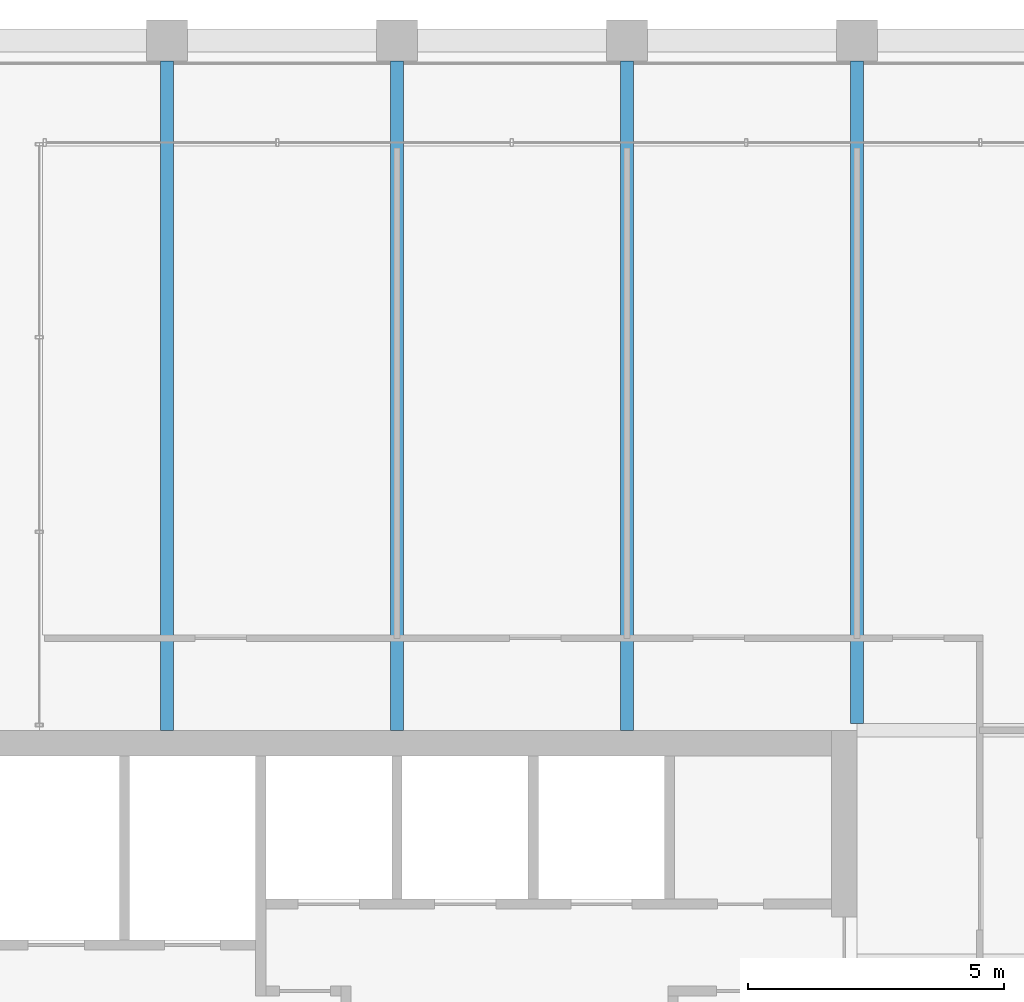
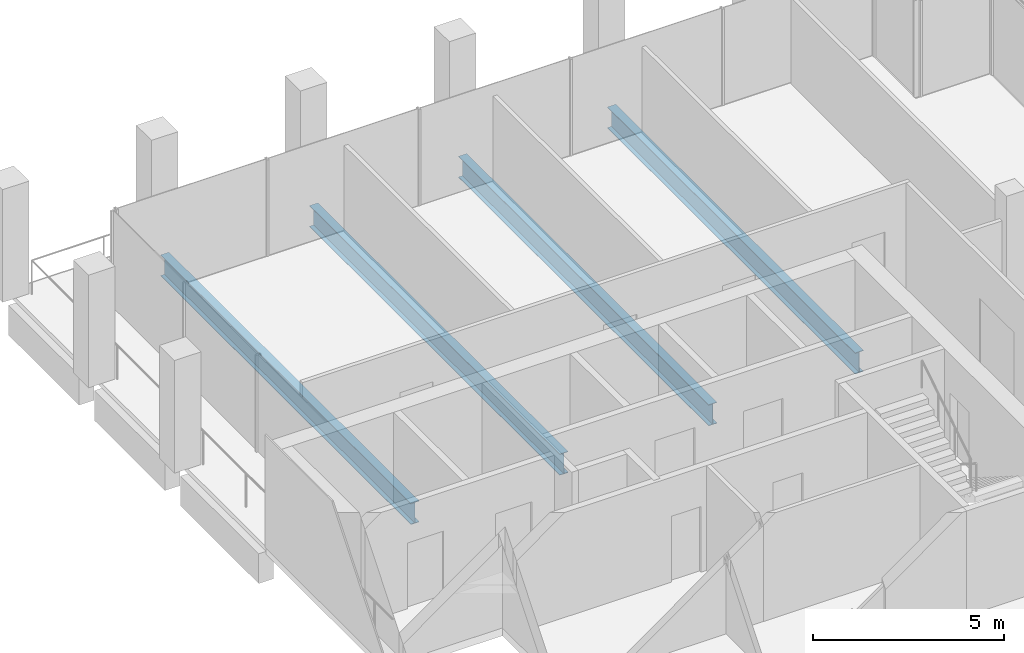
# One storey, part 22 of 30: 4 beams.
"""IFC4 building model written with IfcOpenShell, lengths in metres."""

import ifcopenshell
import ifcopenshell.guid

model = None  # the IFC model being written
_history = None  # IfcOwnerHistory: only IFC2X3 demands one
_inside = {}  # id of a spatial element -> (the spatial element, [elements in it])
_under = {}  # id of a project, library or spatial element -> (it, [spatial elements below it])
_declared = {}  # id of a project -> (the project, [libraries it declares])
_typed = {}  # id of a type object -> (the type object, [elements of that type])
_made_of = {}  # id of a material, layer set ... -> (it, [elements and type objects made of it])


def new_model(schema):
    """Start an empty IFC model of exactly this schema.

    Asked for "IFC4X3", IfcOpenShell would pick the latest addendum, in which some entities
    have other attributes; the version numbers below select the first issue.
    IFC2X3 requires an IfcOwnerHistory on every rooted entity: one is made here for all.
    """
    global model, _history
    if schema == "IFC4X3":
        model = ifcopenshell.file(schema_version=(4, 3, 0, 0))
    else:
        model = ifcopenshell.file(schema=schema)
    _inside.clear()
    _under.clear()
    _declared.clear()
    _typed.clear()
    _made_of.clear()
    _history = None
    if model.schema == "IFC2X3":
        org = make("IfcOrganization", Name="unknown")
        user = make(
            "IfcPersonAndOrganization",
            ThePerson=make("IfcPerson", FamilyName="unknown"),
            TheOrganization=org,
        )
        app = make(
            "IfcApplication",
            ApplicationDeveloper=org,
            Version="unknown",
            ApplicationFullName="unknown",
            ApplicationIdentifier="unknown",
        )
        _history = make(
            "IfcOwnerHistory",
            OwningUser=user,
            OwningApplication=app,
            ChangeAction="ADDED",
            CreationDate=0,
        )
    return model


def make(cls, **values):
    """One entity of the class cls with the attributes given. An attribute that is None is left unset."""
    return model.create_entity(
        cls, **{name: value for name, value in values.items() if value is not None}
    )


def rooted(cls, **values):
    """An entity with a GlobalId (a new one), such as an element, a storey or a relation."""
    return make(cls, GlobalId=ifcopenshell.guid.new(), OwnerHistory=_history, **values)


def si_unit(unit_type, name, prefix=None):
    """IfcSIUnit, for example si_unit("LENGTHUNIT", "METRE", prefix="MILLI")."""
    return make("IfcSIUnit", UnitType=unit_type, Prefix=prefix, Name=name)


def assignment(units):
    """IfcUnitAssignment: the units of a project."""
    return None if units is None else make("IfcUnitAssignment", Units=units)


def point(xyz):
    """IfcCartesianPoint."""
    return None if xyz is None else make("IfcCartesianPoint", Coordinates=xyz)


def direction(xyz):
    """IfcDirection."""
    return None if xyz is None else make("IfcDirection", DirectionRatios=xyz)


def frame(location, z_axis=None, x_axis=None):
    """IfcAxis2Placement3D, a coordinate frame: its origin and axes. An axis left out is left unset."""
    return make(
        "IfcAxis2Placement3D",
        Location=point(location),
        Axis=direction(z_axis),
        RefDirection=direction(x_axis),
    )


def frame_2d(location, x_axis=None):
    """IfcAxis2Placement2D, a coordinate frame in the plane: its origin and x axis."""
    return make(
        "IfcAxis2Placement2D", Location=point(location), RefDirection=direction(x_axis)
    )


def origin():
    """The frame at (0, 0, 0) with its axes left unset."""
    return frame((0.0, 0.0, 0.0))


def origin_2d():
    """The frame at (0, 0) in the plane with its x axis left unset."""
    return frame_2d((0.0, 0.0))


def place(relative_to, where):
    """IfcLocalPlacement: puts the frame where relative to a parent placement (None: the world)."""
    return make(
        "IfcLocalPlacement", PlacementRelTo=relative_to, RelativePlacement=where
    )


def context(
    kind, dimensions, precision=None, world=None, true_north=None, identifier=None
):
    """IfcGeometricRepresentationContext, for example the 3D "Model" context."""
    return make(
        "IfcGeometricRepresentationContext",
        ContextIdentifier=identifier,
        ContextType=kind,
        CoordinateSpaceDimension=dimensions,
        Precision=precision,
        WorldCoordinateSystem=world,
        TrueNorth=true_north,
    )


def subcontext(parent, identifier, kind, view, scale=None):
    """IfcGeometricRepresentationSubContext, for example "Body" below "Model"."""
    return make(
        "IfcGeometricRepresentationSubContext",
        ContextIdentifier=identifier,
        ContextType=kind,
        ParentContext=parent,
        TargetScale=scale,
        TargetView=view,
    )


def project(units=None, contexts=None):
    """IfcProject with its units and contexts."""
    return rooted(
        "IfcProject",
        Name="project",
        RepresentationContexts=contexts,
        UnitsInContext=assignment(units),
    )


def spatial(cls, under=None, at=None, **own):
    """A site, building, storey or space (cls), placed at a placement, below another one or the project."""
    s = rooted(cls, ObjectPlacement=at, **own)
    if under is not None:
        _under.setdefault(under.id(), (under, []))[1].append(s)
    return s


def profile(cls, at=None, kind="AREA", **sizes):
    """A parametric profile (cls). Its sizes go by their IFC names, for example OverallWidth=200.0."""
    return make(cls, ProfileType=kind, Position=at, **sizes)


def i_section(**sizes):
    """IfcIShapeProfileDef."""
    return profile("IfcIShapeProfileDef", **sizes)


def extrude(swept, where, along, depth):
    """IfcExtrudedAreaSolid: the profile swept, set in the frame where, extruded along a direction by depth."""
    return make(
        "IfcExtrudedAreaSolid",
        SweptArea=swept,
        Position=where,
        ExtrudedDirection=direction(along),
        Depth=depth,
    )


def shape(context_of_items, identifier, shape_type, items):
    """IfcShapeRepresentation: the items that make up one representation, for example the "Body"."""
    return make(
        "IfcShapeRepresentation",
        ContextOfItems=context_of_items,
        RepresentationIdentifier=identifier,
        RepresentationType=shape_type,
        Items=items,
    )


def material(Name=None, Category=None):
    """IfcMaterial."""
    return make("IfcMaterial", Name=Name, Category=Category)


def material_profile(
    of_material, cross_section, Name=None, Category=None, Priority=None
):
    """IfcMaterialProfile: a cross section and its material."""
    return make(
        "IfcMaterialProfile",
        Name=Name,
        Material=of_material,
        Profile=cross_section,
        Priority=Priority,
        Category=Category,
    )


def profile_set(profiles, Name=None, composite=None):
    """IfcMaterialProfileSet."""
    return make(
        "IfcMaterialProfileSet",
        Name=Name,
        MaterialProfiles=profiles,
        CompositeProfile=composite,
    )


def made_of(thing, what):
    """Note that an element or type object is made of a material, layer set ...; save() writes the relation."""
    if what is not None:
        _made_of.setdefault(what.id(), (what, []))[1].append(thing)
    return thing


def type_object(cls, material=None, **own):
    """A type object (cls), such as IfcWallType, which elements share."""
    return made_of(rooted(cls, **own), material)


def element(
    cls,
    number,
    at=None,
    inside=None,
    cuts=None,
    type_object=None,
    material=None,
    context=None,
    identifier="Body",
    shape_type=None,
    held_by="IfcProductDefinitionShape",
    body=None,
    shapes=None,
    **own,
):
    """One element of the class cls, such as IfcWall. Its Tag is "e" and its number.

    at: its placement. inside: the storey or other place that contains it. cuts: it is an
    opening in that element (IfcRelVoidsElement). A single representation is given by context,
    identifier, shape_type and body (its items); several are given by shapes. held_by: the class
    of the entity that holds the representations. save() writes the other relations.
    """
    e = rooted(cls, Tag="e%d" % number, ObjectPlacement=at, **own)
    if body is not None:
        shapes = [shape(context, identifier, shape_type, body)]
    if shapes is not None:
        e.Representation = make(held_by, Representations=shapes)
    if inside is not None:
        _inside.setdefault(inside.id(), (inside, []))[1].append(e)
    if cuts is not None:
        rooted(
            "IfcRelVoidsElement", RelatingBuildingElement=cuts, RelatedOpeningElement=e
        )
    if type_object is not None:
        _typed.setdefault(type_object.id(), (type_object, []))[1].append(e)
    return made_of(e, material)


def aggregate(whole, parts):
    """IfcRelAggregates: a whole, such as a stair, and the parts it consists of."""
    return rooted("IfcRelAggregates", RelatingObject=whole, RelatedObjects=parts)


def save(model, path):
    """Write the relations noted so far, then the file.

    IfcRelAggregates (storeys below a building ...), IfcRelContainedInSpatialStructure (elements
    in a storey), IfcRelDefinesByType, IfcRelAssociatesMaterial and IfcRelDeclares: one each for
    every whole, place, type object, material and project.
    """
    for whole, parts in _under.values():
        aggregate(whole, parts)
    for where, things in _inside.values():
        rooted(
            "IfcRelContainedInSpatialStructure",
            RelatedElements=things,
            RelatingStructure=where,
        )
    for kind, things in _typed.values():
        rooted("IfcRelDefinesByType", RelatedObjects=things, RelatingType=kind)
    for what, things in _made_of.values():
        rooted("IfcRelAssociatesMaterial", RelatedObjects=things, RelatingMaterial=what)
    for by, libraries in _declared.values():
        rooted("IfcRelDeclares", RelatingContext=by, RelatedDefinitions=libraries)
    model.write(path)


model = new_model("IFC4")

# Units and contexts
model_context = context("Model", 3, precision=1e-05, world=origin(), true_north=direction((0.0, 1.0)))
body_context = subcontext(model_context, "Body", "Model", "MODEL_VIEW")
ifc_project = project(units=[si_unit("LENGTHUNIT", "METRE"), si_unit("AREAUNIT", "SQUARE_METRE"), si_unit("VOLUMEUNIT", "CUBIC_METRE"), si_unit("PLANEANGLEUNIT", "RADIAN"), si_unit("MASSUNIT", "GRAM", prefix="KILO")], contexts=[model_context])

# Site, building, storey
site_placement = place(None, origin())
site = spatial("IfcSite", under=ifc_project, at=site_placement, CompositionType="ELEMENT")
building_placement = place(site_placement, origin())
building = spatial("IfcBuilding", under=site, at=building_placement, Name="Altepetl Exchange Towers", CompositionType="ELEMENT")
storey_placement = place(building_placement, frame((0.0, 0.0, 220.800048828125)))
storey = spatial("IfcBuildingStorey", under=building, at=storey_placement, Name="L56", CompositionType="ELEMENT", Elevation=220.800048828125)

# Beams
ifc_material = material(Name="Steel S355", Category="steel")
ifc_material_profile = material_profile(ifc_material, i_section(OverallWidth=0.2529296875, OverallDepth=0.677978515625, WebThickness=0.01171875, FlangeThickness=0.016357421875, at=origin_2d()), Name="W27X84")
ifc_profile_set = profile_set([ifc_material_profile], Name="Steel S355")
beam_type = type_object("IfcBeamType", Name="Floor beam W27X84", PredefinedType="BEAM", material=ifc_profile_set)
for number, where, z_axis, x_axis, name in (
    (1, (45.0, 58.5, -0.489013671875), (0.0, 1.0, 0.0), (-1.0, 0.0, 0.0), "bm:A:L56:000"),
    (2, (49.5, 58.5, -0.489013671875), (0.0, 1.0, 0.0), (-1.0, 0.0, 0.0), "bm:A:L56:001"),
    (3, (54.0, 58.5, -0.489013671875), (0.0, 1.0, 0.0), (-1.0, 0.0, 0.0), "bm:A:L56:002"),
):
    element("IfcBeam", number, at=place(storey_placement, frame(where, z_axis=z_axis, x_axis=x_axis)), inside=storey, type_object=beam_type, Name=name, PredefinedType="BEAM", context=body_context, shape_type="SweptSolid", body=[
        extrude(i_section(OverallWidth=0.2529296875, OverallDepth=0.677978515625, WebThickness=0.01171875, FlangeThickness=0.016357421875, at=origin_2d()), origin(), (0.0, 0.0, 1.0), 13.10009765625),
    ])
beam_placement = place(storey_placement, frame((58.5, 58.634033203125, -0.489013671875), z_axis=(0.0, 1.0, 0.0), x_axis=(-1.0, 0.0, 0.0)))
element("IfcBeam", 4, at=beam_placement, inside=storey, type_object=beam_type, Name="bm:A:L56:003", PredefinedType="BEAM", context=body_context, shape_type="SweptSolid", body=[
    extrude(i_section(OverallWidth=0.2529296875, OverallDepth=0.677978515625, WebThickness=0.01171875, FlangeThickness=0.016357421875, at=origin_2d()), origin(), (0.0, 0.0, 1.0), 12.966064453125),
])

save(model, "model.ifc")
